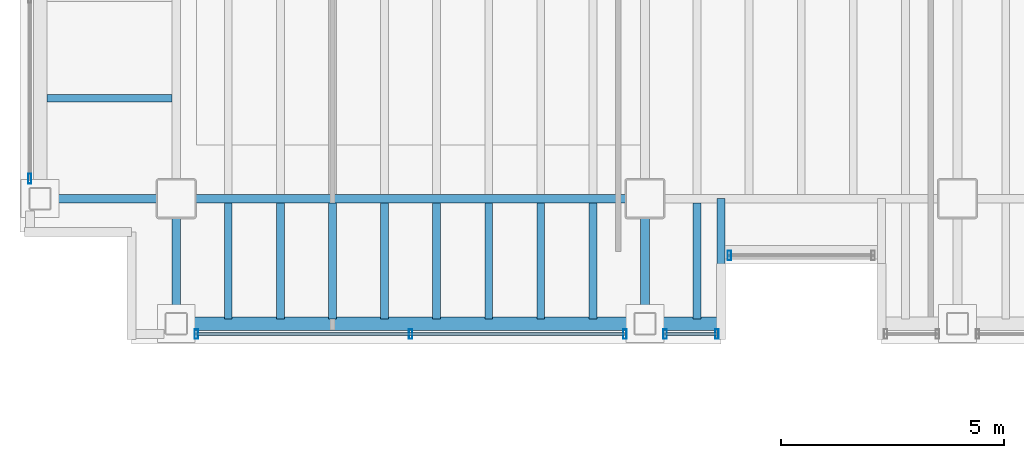
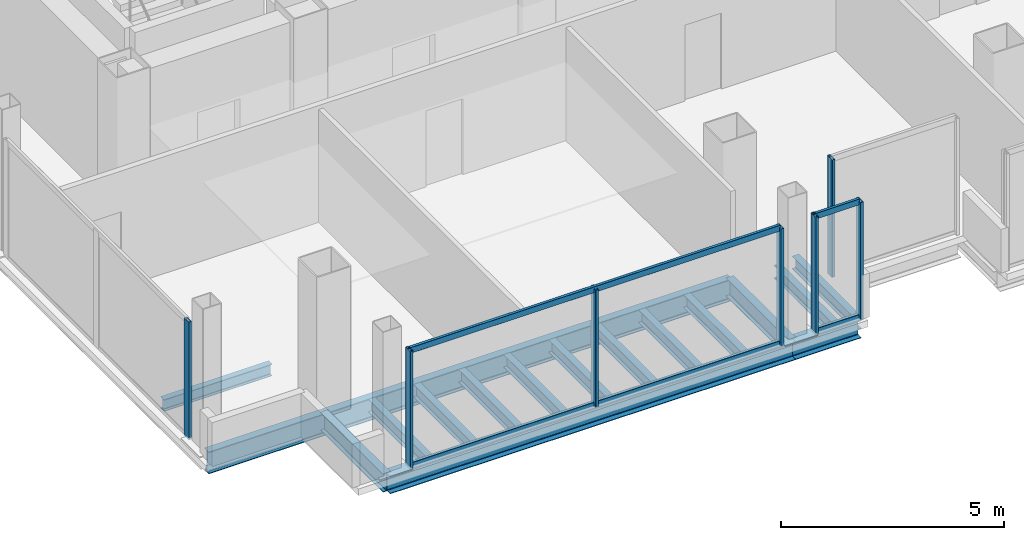
# One storey, part 2 of 16: 17 beams, 11 members, 4 elements without a shape of their own.
"""IFC4 building model written with IfcOpenShell, lengths in metres."""

from ifc_helpers import new_model, si_unit, direction, frame, origin, origin_2d, place, context, subcontext, project, spatial, hollow_rectangle, i_section, extrude, material, material_profile, profile_set, type_object, element, aggregate, save


model = new_model("IFC4")

# Units and contexts
model_context = context("Model", 3, precision=1e-05, world=origin(), true_north=direction((0.0, 1.0)))
body_context = subcontext(model_context, "Body", "Model", "MODEL_VIEW")
ifc_project = project(units=[si_unit("LENGTHUNIT", "METRE"), si_unit("AREAUNIT", "SQUARE_METRE"), si_unit("VOLUMEUNIT", "CUBIC_METRE"), si_unit("PLANEANGLEUNIT", "RADIAN"), si_unit("MASSUNIT", "GRAM", prefix="KILO")], contexts=[model_context])

# Site, building, storey
site_placement = place(None, origin())
site = spatial("IfcSite", under=ifc_project, at=site_placement, CompositionType="ELEMENT")
building_placement = place(site_placement, origin())
building = spatial("IfcBuilding", under=site, at=building_placement, Name="Noeulbin Bourse Tower", CompositionType="ELEMENT")
storey_placement = place(building_placement, frame((0.0, 0.0, 177.300048828125)))
storey = spatial("IfcBuildingStorey", under=building, at=storey_placement, Name="L44", CompositionType="ELEMENT", Elevation=177.300048828125)

# Beams
ifc_material_1 = material(Name="Steel S355", Category="steel")
ifc_material_profile_1 = material_profile(ifc_material_1, i_section(OverallWidth=0.199951171875, OverallDepth=0.5, WebThickness=0.010009765625, FlangeThickness=0.01611328125, FilletRadius=0.02001953125, at=origin_2d()), Name="H-500x200x10x16", Category="LoadBearing")
ifc_profile_set_1 = profile_set([ifc_material_profile_1], Name="Steel S355")
beam_type_1 = type_object("IfcBeamType", Name="BM-GRD-500", PredefinedType="USERDEFINED", material=ifc_profile_set_1)
for number, where, z_axis, x_axis, name in (
    (1, (13.5, 17.199951171875, -0.429931640625), (0.0, 1.0, 0.0), (-1.0, 0.0, 0.0), "Tower Primary Girder NS L44-1.1"),
    (2, (24.0, 17.199951171875, -0.429931640625), (0.0, 1.0, 0.0), (-1.0, 0.0, 0.0), "Tower Primary Girder NS L44-2.1"),
):
    element("IfcBeam", number, at=place(storey_placement, frame(where, z_axis=z_axis, x_axis=x_axis)), inside=storey, type_object=beam_type_1, Name=name, ObjectType="GIRDER", PredefinedType="USERDEFINED", context=body_context, shape_type="SweptSolid", body=[
        extrude(i_section(OverallWidth=0.199951171875, OverallDepth=0.5, WebThickness=0.010009765625, FlangeThickness=0.01611328125, FilletRadius=0.02001953125, at=origin_2d()), origin(), (0.0, 0.0, 1.0), 2.800048828125),
    ])
ifc_material_profile_2 = material_profile(ifc_material_1, i_section(OverallWidth=0.199951171875, OverallDepth=0.60009765625, WebThickness=0.010986328125, FlangeThickness=0.01708984375, FilletRadius=0.02197265625, at=origin_2d()), Name="H-600x200x11x17", Category="LoadBearing")
ifc_profile_set_2 = profile_set([ifc_material_profile_2], Name="Steel S355")
beam_type_2 = type_object("IfcBeamType", Name="BM-GRD-600", PredefinedType="USERDEFINED", material=ifc_profile_set_2)
beam_1_placement = place(storey_placement, frame((10.449951171875, 20.0, -0.47998046875), z_axis=(1.0, 0.0, 0.0), x_axis=(0.0, 1.0, 0.0)))
element("IfcBeam", 3, at=beam_1_placement, inside=storey, type_object=beam_type_2, Name="Tower Primary Girder EW L44-1.1", ObjectType="GIRDER", PredefinedType="USERDEFINED", context=body_context, shape_type="SweptSolid", body=[
    extrude(i_section(OverallWidth=0.199951171875, OverallDepth=0.60009765625, WebThickness=0.010986328125, FlangeThickness=0.01708984375, FilletRadius=0.02197265625, at=origin_2d()), origin(), (0.0, 0.0, 1.0), 3.050048828125),
])
beam_2_placement = place(storey_placement, frame((13.5, 20.0, -0.47998046875), z_axis=(1.0, 0.0, 0.0), x_axis=(0.0, 1.0, 0.0)))
element("IfcBeam", 4, at=beam_2_placement, inside=storey, type_object=beam_type_2, Name="Tower Primary Girder EW L44-1.2", ObjectType="GIRDER", PredefinedType="USERDEFINED", context=body_context, shape_type="SweptSolid", body=[
    extrude(i_section(OverallWidth=0.199951171875, OverallDepth=0.60009765625, WebThickness=0.010986328125, FlangeThickness=0.01708984375, FilletRadius=0.02197265625, at=origin_2d()), origin(), (0.0, 0.0, 1.0), 10.5),
])
ifc_material_profile_3 = material_profile(ifc_material_1, i_section(OverallWidth=0.159912109375, OverallDepth=0.320068359375, WebThickness=0.006591796875, FlangeThickness=0.010009765625, FilletRadius=0.012939453125, at=origin_2d()), Name="H-320x160x6.5x10", Category="LoadBearing")
ifc_profile_set_3 = profile_set([ifc_material_profile_3], Name="Steel S355")
beam_type_3 = type_object("IfcBeamType", Name="BM-JST-320", PredefinedType="JOIST", material=ifc_profile_set_3)
beam_3_placement = place(storey_placement, frame((10.60009765625, 22.25, -0.340087890625), z_axis=(1.0, 0.0, 0.0), x_axis=(0.0, 1.0, 0.0)))
element("IfcBeam", 5, at=beam_3_placement, inside=storey, type_object=beam_type_3, Name="Wing Composite Joist L44-W67", PredefinedType="JOIST", context=body_context, shape_type="SweptSolid", body=[
    extrude(i_section(OverallWidth=0.159912109375, OverallDepth=0.320068359375, WebThickness=0.006591796875, FlangeThickness=0.010009765625, FilletRadius=0.012939453125, at=origin_2d()), origin(), (0.0, 0.0, 1.0), 2.7998046875),
])
ifc_material_profile_4 = material_profile(ifc_material_1, i_section(OverallWidth=0.175048828125, OverallDepth=0.35009765625, WebThickness=0.007080078125, FlangeThickness=0.010986328125, FilletRadius=0.013916015625, at=origin_2d()), Name="H-350x175x7x11", Category="LoadBearing")
ifc_profile_set_4 = profile_set([ifc_material_profile_4], Name="Steel S355")
beam_type_4 = type_object("IfcBeamType", Name="BM-JST-350", PredefinedType="JOIST", material=ifc_profile_set_4)
beam_4_placement = place(storey_placement, frame((25.699951171875, 17.199951171875, -0.35498046875), z_axis=(0.0, 1.0, 0.0), x_axis=(-1.0, 0.0, 0.0)))
element("IfcBeam", 6, at=beam_4_placement, inside=storey, type_object=beam_type_4, Name="BM-L44-SRT-W", PredefinedType="JOIST", context=body_context, shape_type="SweptSolid", body=[
    extrude(i_section(OverallWidth=0.175048828125, OverallDepth=0.35009765625, WebThickness=0.007080078125, FlangeThickness=0.010986328125, FilletRadius=0.013916015625, at=origin_2d()), origin(), (0.0, 0.0, 1.0), 2.800048828125),
])
for number, where, z_axis, x_axis, name in (
    (7, (14.666748046875, 17.300048828125, -0.35498046875), (0.0, 1.0, 0.0), (-1.0, 0.0, 0.0), "Tower Composite Joist L44-01"),
    (8, (15.833251953125, 17.300048828125, -0.35498046875), (0.0, 1.0, 0.0), (-1.0, 0.0, 0.0), "Tower Composite Joist L44-04"),
    (9, (17.0, 17.300048828125, -0.35498046875), (0.0, 1.0, 0.0), (-1.0, 0.0, 0.0), "Tower Composite Joist L44-07"),
    (10, (18.166748046875, 17.300048828125, -0.35498046875), (0.0, 1.0, 0.0), (-1.0, 0.0, 0.0), "Tower Composite Joist L44-10"),
    (11, (19.333251953125, 17.300048828125, -0.35498046875), (0.0, 1.0, 0.0), (-1.0, 0.0, 0.0), "Tower Composite Joist L44-13"),
    (12, (20.5, 17.300048828125, -0.35498046875), (0.0, 1.0, 0.0), (-1.0, 0.0, 0.0), "Tower Composite Joist L44-16"),
    (13, (21.666748046875, 17.300048828125, -0.35498046875), (0.0, 1.0, 0.0), (-1.0, 0.0, 0.0), "Tower Composite Joist L44-19"),
    (14, (22.833251953125, 17.300048828125, -0.35498046875), (0.0, 1.0, 0.0), (-1.0, 0.0, 0.0), "Tower Composite Joist L44-22"),
    (15, (25.166748046875, 17.300048828125, -0.35498046875), (0.0, 1.0, 0.0), (-1.0, 0.0, 0.0), "Tower Composite Joist L44-25"),
):
    element("IfcBeam", number, at=place(storey_placement, frame(where, z_axis=z_axis, x_axis=x_axis)), inside=storey, type_object=beam_type_4, Name=name, PredefinedType="JOIST", context=body_context, shape_type="SweptSolid", body=[
        extrude(i_section(OverallWidth=0.175048828125, OverallDepth=0.35009765625, WebThickness=0.007080078125, FlangeThickness=0.010986328125, FilletRadius=0.013916015625, at=origin_2d()), origin(), (0.0, 0.0, 1.0), 2.599853515625),
    ])
ifc_material_profile_5 = material_profile(ifc_material_1, i_section(OverallWidth=0.300048828125, OverallDepth=0.488037109375, WebThickness=0.010986328125, FlangeThickness=0.01806640625, FilletRadius=0.02197265625, at=origin_2d()), Name="H-488x300x11x18", Category="LoadBearing")
ifc_profile_set_5 = profile_set([ifc_material_profile_5], Name="Steel S355")
beam_type_5 = type_object("IfcBeamType", Name="BM-SPN-488", PredefinedType="SPANDREL", material=ifc_profile_set_5)
beam_5_placement = place(storey_placement, frame((13.5, 17.199951171875, -0.424072265625), z_axis=(1.0, 0.0, 0.0), x_axis=(0.0, 1.0, 0.0)))
element("IfcBeam", 16, at=beam_5_placement, inside=storey, type_object=beam_type_5, Name="South Spandrel L44-1", PredefinedType="SPANDREL", context=body_context, shape_type="SweptSolid", body=[
    extrude(i_section(OverallWidth=0.300048828125, OverallDepth=0.488037109375, WebThickness=0.010986328125, FlangeThickness=0.01806640625, FilletRadius=0.02197265625, at=origin_2d()), origin(), (0.0, 0.0, 1.0), 10.5),
])
beam_6_placement = place(storey_placement, frame((24.0, 17.199951171875, -0.424072265625), z_axis=(1.0, 0.0, 0.0), x_axis=(0.0, 1.0, 0.0)))
element("IfcBeam", 17, at=beam_6_placement, inside=storey, type_object=beam_type_5, Name="South Spandrel L44-2A", PredefinedType="SPANDREL", context=body_context, shape_type="SweptSolid", body=[
    extrude(i_section(OverallWidth=0.300048828125, OverallDepth=0.488037109375, WebThickness=0.010986328125, FlangeThickness=0.01806640625, FilletRadius=0.02197265625, at=origin_2d()), origin(), (0.0, 0.0, 1.0), 1.699951171875),
])

# Curtain wall, member
ifc_material_2 = material(Name="Dark Tinted Triple Glazing", Category="glass")
curtain_wall_type = type_object("IfcCurtainWallType", Name="CW-SYS-3", PredefinedType="NOTDEFINED", material=ifc_material_2)
curtain_wall_1_placement = place(storey_placement, origin())
curtain_wall_1 = element("IfcCurtainWall", 18, at=curtain_wall_1_placement, inside=storey, type_object=curtain_wall_type, Name="Unitised Curtain Wall CW-L44-SREC", PredefinedType="NOTDEFINED")
ifc_material_3 = material(Name="Anodised Aluminium 6063-T6", Category="aluminium")
ifc_material_profile_6 = material_profile(ifc_material_3, hollow_rectangle(XDim=0.074951171875, YDim=0.219970703125, WallThickness=0.0048828125, InnerFilletRadius=0.00244140625, OuterFilletRadius=0.0048828125, at=origin_2d()), Name="ALU-MULL-75x220x5", Category="LoadBearing")
ifc_profile_set_6 = profile_set([ifc_material_profile_6], Name="Anodised Aluminium 6063-T6")
member_type_1 = type_object("IfcMemberType", Name="CW-SYS-3-MUL", PredefinedType="MULLION", material=ifc_profile_set_6)
member_1_placement = place(storey_placement, frame((25.889892578125, 18.72998046875, -0.02001953125), z_axis=(0.0, 0.0, 1.0), x_axis=(1.0, 0.0, 0.0)))
member_1 = element("IfcMember", 19, at=member_1_placement, type_object=member_type_1, Name="Curtain Wall Mullion CW-L44-SREC-M00", PredefinedType="MULLION", context=body_context, shape_type="SweptSolid", body=[
    extrude(hollow_rectangle(XDim=0.074951171875, YDim=0.219970703125, WallThickness=0.0048828125, InnerFilletRadius=0.00244140625, OuterFilletRadius=0.0048828125, at=origin_2d()), origin(), (0.0, 0.0, 1.0), 3.219970703125),
])
aggregate(curtain_wall_1, [member_1])

# Curtain wall, members
curtain_wall_2_placement = place(storey_placement, origin())
curtain_wall_2 = element("IfcCurtainWall", 20, at=curtain_wall_2_placement, inside=storey, type_object=curtain_wall_type, Name="Unitised Curtain Wall CW-L44-S1-S1", PredefinedType="NOTDEFINED")
member_2_placement = place(storey_placement, frame((13.949951171875, 16.969970703125, -0.02001953125), z_axis=(0.0, 0.0, 1.0), x_axis=(1.0, 0.0, 0.0)))
member_2 = element("IfcMember", 21, at=member_2_placement, type_object=member_type_1, Name="Curtain Wall Mullion CW-L44-S1-S1-M00", PredefinedType="MULLION", context=body_context, shape_type="SweptSolid", body=[
    extrude(hollow_rectangle(XDim=0.074951171875, YDim=0.219970703125, WallThickness=0.0048828125, InnerFilletRadius=0.00244140625, OuterFilletRadius=0.0048828125, at=origin_2d()), origin(), (0.0, 0.0, 1.0), 3.219970703125),
])
member_3_placement = place(storey_placement, frame((18.75, 16.969970703125, -0.02001953125), z_axis=(0.0, 0.0, 1.0), x_axis=(1.0, 0.0, 0.0)))
member_3 = element("IfcMember", 22, at=member_3_placement, type_object=member_type_1, Name="Curtain Wall Mullion CW-L44-S1-S1-M01", PredefinedType="MULLION", context=body_context, shape_type="SweptSolid", body=[
    extrude(hollow_rectangle(XDim=0.074951171875, YDim=0.219970703125, WallThickness=0.0048828125, InnerFilletRadius=0.00244140625, OuterFilletRadius=0.0048828125, at=origin_2d()), origin(), (0.0, 0.0, 1.0), 3.219970703125),
])
member_4_placement = place(storey_placement, frame((23.550048828125, 16.969970703125, -0.02001953125), z_axis=(0.0, 0.0, 1.0), x_axis=(1.0, 0.0, 0.0)))
member_4 = element("IfcMember", 23, at=member_4_placement, type_object=member_type_1, Name="Curtain Wall Mullion CW-L44-S1-S1-M02", PredefinedType="MULLION", context=body_context, shape_type="SweptSolid", body=[
    extrude(hollow_rectangle(XDim=0.074951171875, YDim=0.219970703125, WallThickness=0.0048828125, InnerFilletRadius=0.00244140625, OuterFilletRadius=0.0048828125, at=origin_2d()), origin(), (0.0, 0.0, 1.0), 3.219970703125),
])

curtain_wall_3_placement = place(storey_placement, origin())
curtain_wall_3 = element("IfcCurtainWall", 24, at=curtain_wall_3_placement, inside=storey, type_object=curtain_wall_type, Name="Unitised Curtain Wall CW-L44-S1-S2", PredefinedType="NOTDEFINED")
member_5_placement = place(storey_placement, frame((24.449951171875, 16.969970703125, -0.02001953125), z_axis=(0.0, 0.0, 1.0), x_axis=(1.0, 0.0, 0.0)))
member_5 = element("IfcMember", 25, at=member_5_placement, type_object=member_type_1, Name="Curtain Wall Mullion CW-L44-S1-S2-M00", PredefinedType="MULLION", context=body_context, shape_type="SweptSolid", body=[
    extrude(hollow_rectangle(XDim=0.074951171875, YDim=0.219970703125, WallThickness=0.0048828125, InnerFilletRadius=0.00244140625, OuterFilletRadius=0.0048828125, at=origin_2d()), origin(), (0.0, 0.0, 1.0), 3.219970703125),
])
member_6_placement = place(storey_placement, frame((25.610107421875, 16.969970703125, -0.02001953125), z_axis=(0.0, 0.0, 1.0), x_axis=(1.0, 0.0, 0.0)))
member_6 = element("IfcMember", 26, at=member_6_placement, type_object=member_type_1, Name="Curtain Wall Mullion CW-L44-S1-S2-M01", PredefinedType="MULLION", context=body_context, shape_type="SweptSolid", body=[
    extrude(hollow_rectangle(XDim=0.074951171875, YDim=0.219970703125, WallThickness=0.0048828125, InnerFilletRadius=0.00244140625, OuterFilletRadius=0.0048828125, at=origin_2d()), origin(), (0.0, 0.0, 1.0), 3.219970703125),
])

# Curtain wall, member
curtain_wall_4_placement = place(storey_placement, origin())
curtain_wall_4 = element("IfcCurtainWall", 27, at=curtain_wall_4_placement, inside=storey, type_object=curtain_wall_type, Name="Unitised Curtain Wall CW-L44-W-S1", PredefinedType="NOTDEFINED")
member_7_placement = place(storey_placement, frame((10.219970703125, 20.449951171875, -0.02001953125), z_axis=(0.0, 0.0, 1.0), x_axis=(1.0, 0.0, 0.0)))
member_7 = element("IfcMember", 28, at=member_7_placement, type_object=member_type_1, Name="Curtain Wall Mullion CW-L44-W-S1-M00", PredefinedType="MULLION", context=body_context, shape_type="SweptSolid", body=[
    extrude(hollow_rectangle(XDim=0.074951171875, YDim=0.219970703125, WallThickness=0.0048828125, InnerFilletRadius=0.00244140625, OuterFilletRadius=0.0048828125, at=origin_2d()), origin(), (0.0, 0.0, 1.0), 3.219970703125),
])
aggregate(curtain_wall_4, [member_7])

# Member
ifc_material_profile_7 = material_profile(ifc_material_3, hollow_rectangle(XDim=0.074951171875, YDim=0.159912109375, WallThickness=0.0048828125, InnerFilletRadius=0.00244140625, OuterFilletRadius=0.0048828125, at=origin_2d()), Name="ALU-TRAN-75x160x5", Category="LoadBearing")
ifc_profile_set_7 = profile_set([ifc_material_profile_7], Name="Anodised Aluminium 6063-T6")
member_type_2 = type_object("IfcMemberType", Name="CW-SYS-3-TRN", PredefinedType="USERDEFINED", material=ifc_profile_set_7)
member_8_placement = place(storey_placement, frame((13.9599609375, 16.969970703125, 0.010009765625), z_axis=(1.0, 0.0, 0.0), x_axis=(0.0, 1.0, 0.0)))
member_8 = element("IfcMember", 29, at=member_8_placement, type_object=member_type_2, Name="Curtain Wall Transom CW-L44-S1-S1-T00", ObjectType="TRANSOM", PredefinedType="USERDEFINED", context=body_context, shape_type="SweptSolid", body=[
    extrude(hollow_rectangle(XDim=0.074951171875, YDim=0.159912109375, WallThickness=0.0048828125, InnerFilletRadius=0.00244140625, OuterFilletRadius=0.0048828125, at=origin_2d()), origin(), (0.0, 0.0, 1.0), 9.580078125),
])

member_9_placement = place(storey_placement, frame((13.9599609375, 16.969970703125, 3.169921875), z_axis=(1.0, 0.0, 0.0), x_axis=(0.0, 1.0, 0.0)))
member_9 = element("IfcMember", 30, at=member_9_placement, type_object=member_type_2, Name="Curtain Wall Transom CW-L44-S1-S1-T01", ObjectType="TRANSOM", PredefinedType="USERDEFINED", context=body_context, shape_type="SweptSolid", body=[
    extrude(hollow_rectangle(XDim=0.074951171875, YDim=0.159912109375, WallThickness=0.0048828125, InnerFilletRadius=0.00244140625, OuterFilletRadius=0.0048828125, at=origin_2d()), origin(), (0.0, 0.0, 1.0), 9.580078125),
])

aggregate(curtain_wall_2, [member_2, member_3, member_4, member_8, member_9])

member_10_placement = place(storey_placement, frame((24.4599609375, 16.969970703125, 0.010009765625), z_axis=(1.0, 0.0, 0.0), x_axis=(0.0, 1.0, 0.0)))
member_10 = element("IfcMember", 31, at=member_10_placement, type_object=member_type_2, Name="Curtain Wall Transom CW-L44-S1-S2-T00", ObjectType="TRANSOM", PredefinedType="USERDEFINED", context=body_context, shape_type="SweptSolid", body=[
    extrude(hollow_rectangle(XDim=0.074951171875, YDim=0.159912109375, WallThickness=0.0048828125, InnerFilletRadius=0.00244140625, OuterFilletRadius=0.0048828125, at=origin_2d()), origin(), (0.0, 0.0, 1.0), 1.14013671875),
])

member_11_placement = place(storey_placement, frame((24.4599609375, 16.969970703125, 3.169921875), z_axis=(1.0, 0.0, 0.0), x_axis=(0.0, 1.0, 0.0)))
member_11 = element("IfcMember", 32, at=member_11_placement, type_object=member_type_2, Name="Curtain Wall Transom CW-L44-S1-S2-T01", ObjectType="TRANSOM", PredefinedType="USERDEFINED", context=body_context, shape_type="SweptSolid", body=[
    extrude(hollow_rectangle(XDim=0.074951171875, YDim=0.159912109375, WallThickness=0.0048828125, InnerFilletRadius=0.00244140625, OuterFilletRadius=0.0048828125, at=origin_2d()), origin(), (0.0, 0.0, 1.0), 1.14013671875),
])

aggregate(curtain_wall_3, [member_5, member_6, member_10, member_11])

save(model, "model.ifc")
